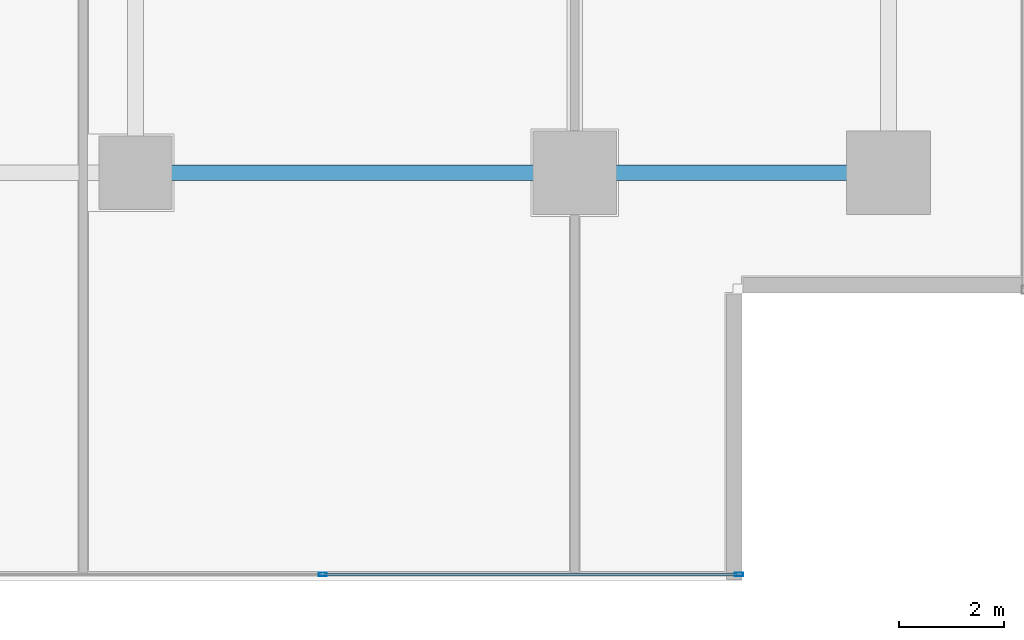
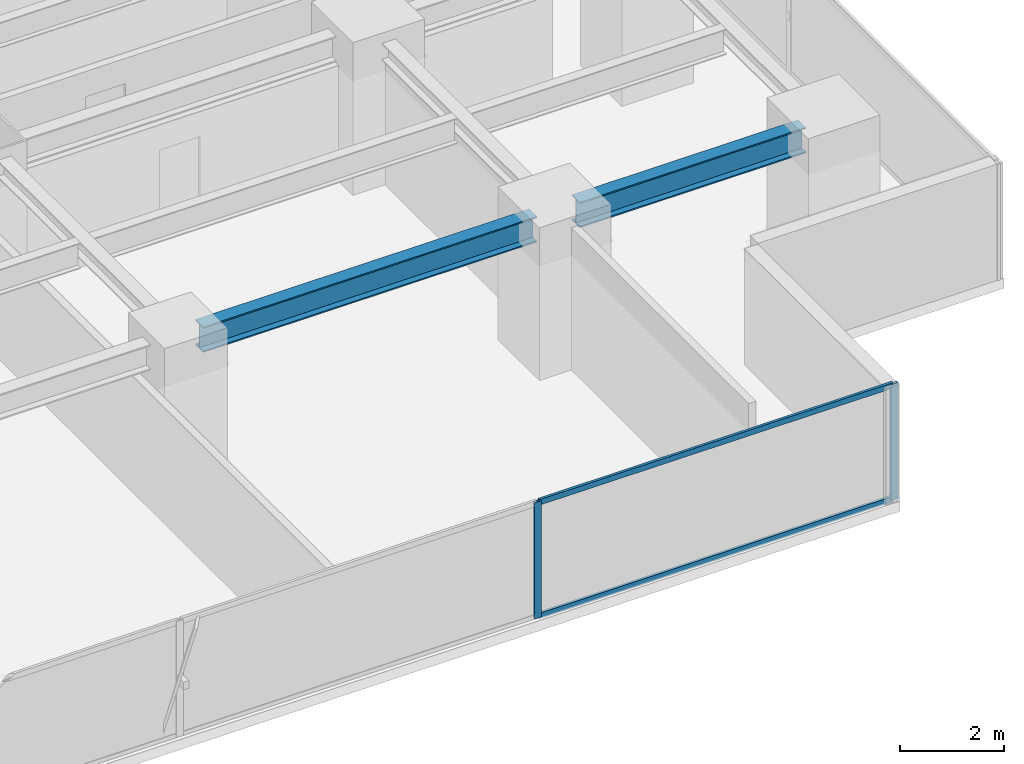
# One storey, part 12 of 34: 4 members, 2 beams, 1 element without a shape of its own.
"""IFC4 building model written with IfcOpenShell, lengths in metres."""

from ifc_helpers import new_model, si_unit, direction, frame, origin, origin_2d, place, context, subcontext, project, spatial, hollow_rectangle, i_section, extrude, source, transform, mapped, material, layer, layer_set, material_profile, profile_set, type_object, element, aggregate, save


model = new_model("IFC4")

# Units and contexts
model_context = context("Model", 3, precision=1e-05, world=origin(), true_north=direction((0.0, 1.0)))
body_context = subcontext(model_context, "Body", "Model", "MODEL_VIEW")
ifc_project = project(units=[si_unit("LENGTHUNIT", "METRE"), si_unit("AREAUNIT", "SQUARE_METRE"), si_unit("VOLUMEUNIT", "CUBIC_METRE"), si_unit("PLANEANGLEUNIT", "RADIAN"), si_unit("MASSUNIT", "GRAM", prefix="KILO")], contexts=[model_context])

# Site, building, storey
site_placement = place(None, origin())
site = spatial("IfcSite", under=ifc_project, at=site_placement, CompositionType="ELEMENT")
building_placement = place(site_placement, origin())
building = spatial("IfcBuilding", under=site, at=building_placement, Name="Sumidabori Civic Tower", CompositionType="ELEMENT")
storey_placement = place(building_placement, frame((0.0, 0.0, 106.39990234375)))
storey = spatial("IfcBuildingStorey", under=building, at=storey_placement, Name="L27", CompositionType="ELEMENT", Elevation=106.39990234375)

# Beams
ifc_material_1 = material(Name="Steel SN490", Category="steel")
ifc_material_profile_1 = material_profile(ifc_material_1, i_section(OverallWidth=0.300048828125, OverallDepth=0.60009765625, WebThickness=0.015380859375, FlangeThickness=0.030029296875, at=origin_2d()), Name="HE 600 B")
ifc_profile_set_1 = profile_set([ifc_material_profile_1], Name="Steel SN490")
beam_type = type_object("IfcBeamType", Name="BM-GIRD-600", PredefinedType="BEAM", material=ifc_profile_set_1)
shared_shape_1 = source(origin(), body_context, "Body", "SweptSolid", [
    extrude(i_section(OverallWidth=0.300048828125, OverallDepth=0.60009765625, WebThickness=0.015380859375, FlangeThickness=0.030029296875, at=origin_2d()), origin(), (0.0, 0.0, 1.0), 5.0400390625),
])
beam_1_placement = place(storey_placement, frame((17.280029296875, -18.0, 3.06005859375), z_axis=(1.0, 0.0, 0.0), x_axis=(0.0, 1.0, 0.0)))
element("IfcBeam", 1, at=beam_1_placement, inside=storey, type_object=beam_type, Name="Primary Girder L27 GX-06", PredefinedType="BEAM", context=body_context, shape_type="MappedRepresentation", body=[
    mapped(shared_shape_1, transform((0.0, 0.0, 0.0), x_axis=(1.0, 0.0, 0.0), y_axis=(0.0, 1.0, 0.0), z_axis=(0.0, 0.0, 1.0), scale=1.0)),
])
shared_shape_2 = source(origin(), body_context, "Body", "SweptSolid", [
    extrude(i_section(OverallWidth=0.300048828125, OverallDepth=0.60009765625, WebThickness=0.015380859375, FlangeThickness=0.030029296875, at=origin_2d()), origin(), (0.0, 0.0, 1.0), 7.440185546875),
])
beam_2_placement = place(storey_placement, frame((8.8798828125, -18.0, 3.06005859375), z_axis=(1.0, 0.0, 0.0), x_axis=(0.0, 1.0, 0.0)))
element("IfcBeam", 2, at=beam_2_placement, inside=storey, type_object=beam_type, Name="Primary Girder L27 GX-05", PredefinedType="BEAM", context=body_context, shape_type="MappedRepresentation", body=[
    mapped(shared_shape_2, transform((0.0, 0.0, 0.0), x_axis=(1.0, 0.0, 0.0), y_axis=(0.0, 1.0, 0.0), z_axis=(0.0, 0.0, 1.0), scale=1.0)),
])

# Curtain wall, members
ifc_material_2 = material(Name="Anodised Bronze Aluminium AW-6063-T6", Category="aluminium")
ifc_layer = layer(ifc_material_2, 0.179931640625, Name="Anodised Bronze Aluminium AW-6063-T6")
ifc_layer_set = layer_set([ifc_layer], Name="Anodised Bronze Aluminium AW-6063-T6")
curtain_wall_type = type_object("IfcCurtainWallType", Name="CW-SYS-3", PredefinedType="NOTDEFINED", material=ifc_layer_set)
curtain_wall_placement = place(storey_placement, origin())
curtain_wall = element("IfcCurtainWall", 3, at=curtain_wall_placement, inside=storey, type_object=curtain_wall_type, Name="Curtain Wall CW:L27:R01", PredefinedType="NOTDEFINED")
ifc_material_profile_2 = material_profile(ifc_material_2, hollow_rectangle(XDim=0.06494140625, YDim=0.159912109375, WallThickness=0.0048828125, at=origin_2d()), Name="ALU MULLION 160x65")
ifc_profile_set_2 = profile_set([ifc_material_profile_2], Name="Anodised Bronze Aluminium AW-6063-T6")
member_type_1 = type_object("IfcMemberType", Name="CW-MUL-160", PredefinedType="MULLION", material=ifc_profile_set_2)
shared_shape_3 = source(origin(), body_context, "Body", "SweptSolid", [
    extrude(hollow_rectangle(XDim=0.06494140625, YDim=0.159912109375, WallThickness=0.0048828125, at=origin_2d()), origin(), (0.0, 0.0, 1.0), 2.739990234375),
])
member_1_placement = place(storey_placement, frame((11.98193359375, -25.679931640625, 0.0), z_axis=(0.0, 0.0, 1.0), x_axis=(0.0, 1.0, 0.0)))
member_1 = element("IfcMember", 4, at=member_1_placement, type_object=member_type_1, Name="CW-3 mullion 5", PredefinedType="MULLION", context=body_context, shape_type="MappedRepresentation", body=[
    mapped(shared_shape_3, transform((0.0, 0.0, 0.0), x_axis=(1.0, 0.0, 0.0), y_axis=(0.0, 1.0, 0.0), z_axis=(0.0, 0.0, 1.0), scale=1.0)),
])
member_2_placement = place(storey_placement, frame((19.9375, -25.679931640625, 0.0), z_axis=(0.0, 0.0, 1.0), x_axis=(0.0, 1.0, 0.0)))
member_2 = element("IfcMember", 5, at=member_2_placement, type_object=member_type_1, Name="CW-3 mullion 6", PredefinedType="MULLION", context=body_context, shape_type="MappedRepresentation", body=[
    mapped(shared_shape_3, transform((0.0, 0.0, 0.0), x_axis=(1.0, 0.0, 0.0), y_axis=(0.0, 1.0, 0.0), z_axis=(0.0, 0.0, 1.0), scale=1.0)),
])
ifc_material_profile_3 = material_profile(ifc_material_2, hollow_rectangle(XDim=0.06005859375, YDim=0.1298828125, WallThickness=0.0048828125, at=origin_2d()), Name="ALU TRANSOM 130x60")
ifc_profile_set_3 = profile_set([ifc_material_profile_3], Name="Anodised Bronze Aluminium AW-6063-T6")
member_type_2 = type_object("IfcMemberType", Name="CW-TRN-130", PredefinedType="USERDEFINED", material=ifc_profile_set_3)
shared_shape_4 = source(origin(), body_context, "Body", "SweptSolid", [
    extrude(hollow_rectangle(XDim=0.06005859375, YDim=0.1298828125, WallThickness=0.0048828125, at=origin_2d()), origin(), (0.0, 0.0, 1.0), 7.890625),
])
member_3_placement = place(storey_placement, frame((12.014404296875, -25.679931640625, 0.030029296875), z_axis=(1.0, 0.0, 0.0), x_axis=(0.0, 1.0, 0.0)))
member_3 = element("IfcMember", 6, at=member_3_placement, type_object=member_type_2, Name="CW-3 transom 5.1", ObjectType="TRANSOM", PredefinedType="USERDEFINED", context=body_context, shape_type="MappedRepresentation", body=[
    mapped(shared_shape_4, transform((0.0, 0.0, 0.0), x_axis=(1.0, 0.0, 0.0), y_axis=(0.0, 1.0, 0.0), z_axis=(0.0, 0.0, 1.0), scale=1.0)),
])
member_4_placement = place(storey_placement, frame((12.014404296875, -25.679931640625, 2.710205078125), z_axis=(1.0, 0.0, 0.0), x_axis=(0.0, 1.0, 0.0)))
member_4 = element("IfcMember", 7, at=member_4_placement, type_object=member_type_2, Name="CW-3 transom 5.2", ObjectType="TRANSOM", PredefinedType="USERDEFINED", context=body_context, shape_type="MappedRepresentation", body=[
    mapped(shared_shape_4, transform((0.0, 0.0, 0.0), x_axis=(1.0, 0.0, 0.0), y_axis=(0.0, 1.0, 0.0), z_axis=(0.0, 0.0, 1.0), scale=1.0)),
])
aggregate(curtain_wall, [member_1, member_2, member_3, member_4])

save(model, "model.ifc")
